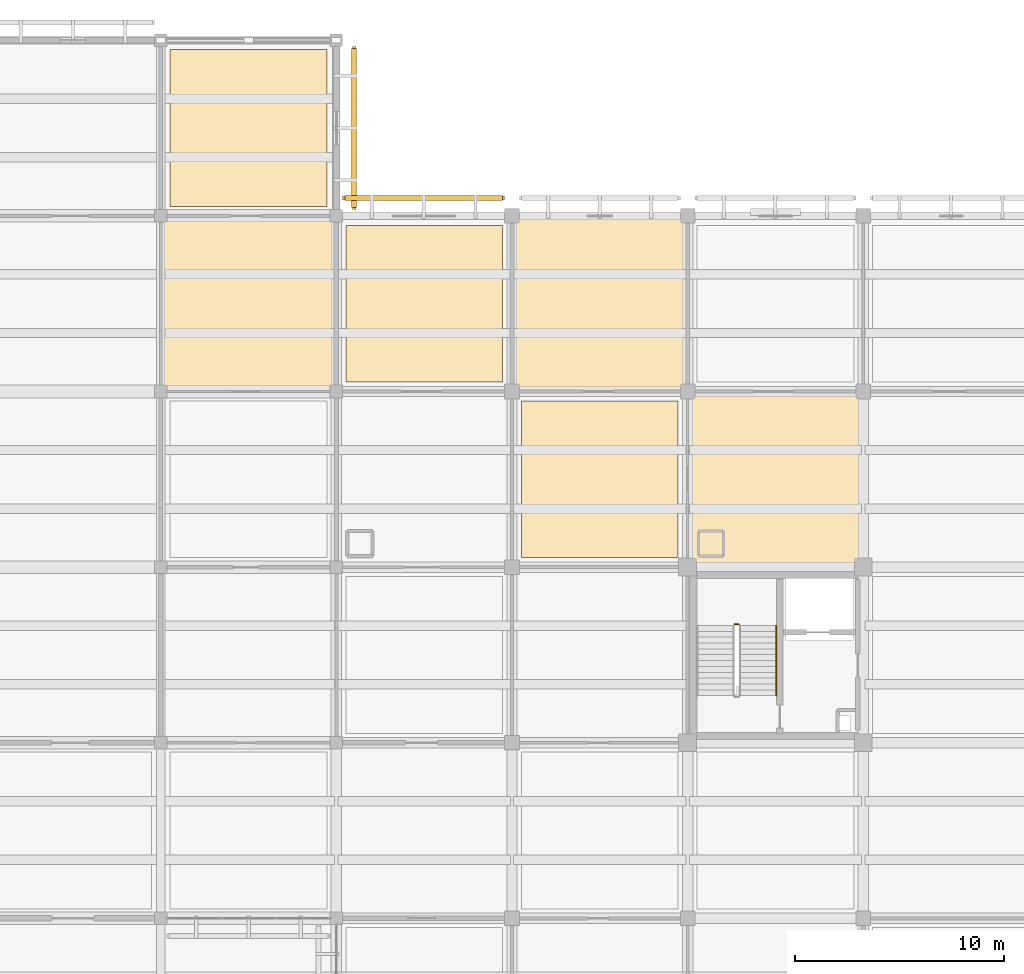
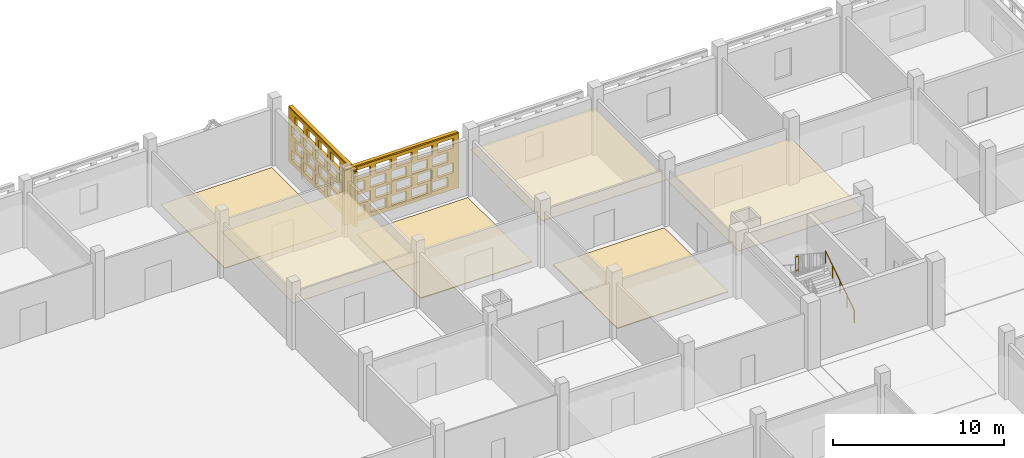
# One storey, part 126 of 129: 8 coverings, 2 railings, 2 shading devices, 40 openings.
"""IFC4 building model written with IfcOpenShell, lengths in metres."""

from ifc_helpers import new_model, si_unit, direction, frame, frame_2d, origin, origin_2d, place, context, subcontext, project, spatial, rectangle, circle, extrude, material, layer, layer_set, type_object, element, save


model = new_model("IFC4")

# Units and contexts
model_context = context("Model", 3, precision=1e-05, world=origin(), true_north=direction((0.0, 1.0)))
body_context = subcontext(model_context, "Body", "Model", "MODEL_VIEW")
ifc_project = project(units=[si_unit("LENGTHUNIT", "METRE"), si_unit("AREAUNIT", "SQUARE_METRE"), si_unit("VOLUMEUNIT", "CUBIC_METRE"), si_unit("PLANEANGLEUNIT", "RADIAN"), si_unit("MASSUNIT", "GRAM", prefix="KILO")], contexts=[model_context])

# Site, building, storey
site_placement = place(None, origin())
site = spatial("IfcSite", under=ifc_project, at=site_placement, CompositionType="ELEMENT")
building_placement = place(site_placement, origin())
building = spatial("IfcBuilding", under=site, at=building_placement, Name="Varnapada Polytechnic", CompositionType="ELEMENT")
storey_placement = place(building_placement, origin())
storey = spatial("IfcBuildingStorey", under=building, at=storey_placement, Name="L00", CompositionType="ELEMENT", Elevation=0.0)

# Coverings
ifc_material_1 = material(Name="Anti-Static Raised Laboratory Flooring")
ifc_layer_1 = layer(ifc_material_1, 0.06005859375)
ifc_layer_set_1 = layer_set([ifc_layer_1], Name="Anti-Static Raised Laboratory Flooring")
covering_type_1 = type_object("IfcCoveringType", Name="Floor Finish FLR-02", PredefinedType="FLOORING", material=ifc_layer_set_1)
for number, where, z_axis, x_axis, name in (
    (1, (138.60009765625, 113.39990234375, 0.0), (0.0, 0.0, 1.0), (1.0, 0.0, 0.0), "L00 floor finish panel (17,14)"),
    (2, (147.0, 105.0, 0.0), (0.0, 0.0, 1.0), (1.0, 0.0, 0.0), "L00 floor finish panel (18,13)"),
):
    element("IfcCovering", number, at=place(storey_placement, frame(where, z_axis=z_axis, x_axis=x_axis)), inside=storey, type_object=covering_type_1, Name=name, PredefinedType="FLOORING", context=body_context, shape_type="SweptSolid", body=[
        extrude(rectangle(XDim=7.5, YDim=7.5, at=origin_2d()), origin(), (0.0, 0.0, 1.0), 0.06005859375),
    ])
ifc_material_2 = material(Name="Acoustic Rubber Seminar Flooring")
ifc_layer_2 = layer(ifc_material_2, 0.0400390625)
ifc_layer_set_2 = layer_set([ifc_layer_2], Name="Acoustic Rubber Seminar Flooring")
covering_type_2 = type_object("IfcCoveringType", Name="Floor Finish FLR-06", PredefinedType="FLOORING", material=ifc_layer_set_2)
covering_1_placement = place(storey_placement, frame((130.199951171875, 121.800048828125, 0.0), z_axis=(0.0, 0.0, 1.0), x_axis=(1.0, 0.0, 0.0)))
element("IfcCovering", 3, at=covering_1_placement, inside=storey, type_object=covering_type_2, Name="L00 floor finish panel (16,15)", PredefinedType="FLOORING", context=body_context, shape_type="SweptSolid", body=[
    extrude(rectangle(XDim=7.5, YDim=7.5, at=origin_2d()), origin(), (0.0, 0.0, 1.0), 0.0400390625),
])

# Railings
ifc_material_3 = material(Name="Brushed Stainless Steel 316", Category="steel")
railing_type_1 = type_object("IfcRailingType", Name="Stair Wall Handrail SHR-01", PredefinedType="HANDRAIL", material=ifc_material_3)
railing_1_placement = place(storey_placement, frame((155.449951171875, 94.64990234375, 0.1845703125)))
element("IfcRailing", 4, at=railing_1_placement, inside=storey, type_object=railing_type_1, Name="L00 ST-5 stair handrail 1", PredefinedType="HANDRAIL", context=body_context, shape_type="SweptSolid", body=[
    extrude(circle(Radius=0.02392578125, at=origin_2d()), frame((0.0, 0.0, 0.8759765625), z_axis=(0.0, 0.834876476806, 0.550437342915), x_axis=(-1.0, 0.0, 0.0)), (0.0, 0.0, 1.0), 4.024658203125),
    extrude(circle(Radius=0.02099609375, at=origin_2d()), origin(), (0.0, 0.0, 1.0), 0.851806640625),
    extrude(circle(Radius=0.02099609375, at=origin_2d()), frame((0.0, 0.840087890625, 0.5537109375)), (0.0, 0.0, 1.0), 0.851806640625),
    extrude(circle(Radius=0.02099609375, at=origin_2d()), frame((0.0, 1.68017578125, 1.107666015625)), (0.0, 0.0, 1.0), 0.851806640625),
    extrude(circle(Radius=0.02099609375, at=origin_2d()), frame((0.0, 2.52001953125, 1.66162109375)), (0.0, 0.0, 1.0), 0.851806640625),
    extrude(circle(Radius=0.02099609375, at=origin_2d()), frame((0.0, 3.360107421875, 2.21533203125)), (0.0, 0.0, 1.0), 0.851806640625),
])
railing_type_2 = type_object("IfcRailingType", Name="Stair Well Guard Rail SGR-01", PredefinedType="BALUSTRADE", material=ifc_material_3)
railing_2_placement = place(storey_placement, frame((153.64990234375, 98.06005859375, 2.39990234375)))
element("IfcRailing", 5, at=railing_2_placement, inside=storey, type_object=railing_type_2, Name="L00 ST-5 stair guard 2", PredefinedType="BALUSTRADE", context=body_context, shape_type="SweptSolid", body=[
    extrude(circle(Radius=0.02392578125, at=origin_2d()), frame((0.0, 0.0, 1.09619140625), z_axis=(-1.0, 0.0, 0.0), x_axis=(0.0, -1.0, 0.0)), (0.0, 0.0, 1.0), 0.199951171875),
    extrude(circle(Radius=0.02392578125, at=origin_2d()), frame((0.0, 0.0, 0.10009765625), z_axis=(-1.0, 0.0, 0.0), x_axis=(0.0, -1.0, 0.0)), (0.0, 0.0, 1.0), 0.199951171875),
    extrude(circle(Radius=0.02099609375, at=origin_2d()), origin(), (0.0, 0.0, 1.0), 1.072021484375),
    extrude(circle(Radius=0.02099609375, at=origin_2d()), frame((-0.199951171875, 0.0, 0.0)), (0.0, 0.0, 1.0), 1.072021484375),
])

# Coverings
ifc_material_4 = material(Name="Mineral Fibre Acoustic Ceiling Tile")
ifc_layer_3 = layer(ifc_material_4, 0.0400390625)
ifc_layer_set_3 = layer_set([ifc_layer_3], Name="Mineral Fibre Acoustic Ceiling Tile")
covering_type_3 = type_object("IfcCoveringType", Name="Suspended Ceiling CLG-01", PredefinedType="CEILING", material=ifc_layer_set_3)
for number, where, z_axis, x_axis, name in (
    (6, (130.199951171875, 113.39990234375, 3.030029296875), (0.0, 0.0, 1.0), (1.0, 0.0, 0.0), "L00 suspended acoustic ceiling (16,14)"),
    (7, (147.0, 113.39990234375, 3.030029296875), (0.0, 0.0, 1.0), (1.0, 0.0, 0.0), "L00 suspended acoustic ceiling (18,14)"),
):
    element("IfcCovering", number, at=place(storey_placement, frame(where, z_axis=z_axis, x_axis=x_axis)), inside=storey, type_object=covering_type_3, Name=name, PredefinedType="CEILING", context=body_context, shape_type="SweptSolid", body=[
        extrude(rectangle(XDim=8.419921875, YDim=8.419921875, at=origin_2d()), origin(), (0.0, 0.0, 1.0), 0.0400390625),
    ])
ifc_material_5 = material(Name="Micro-Perforated Gypsum Acoustic Ceiling")
ifc_layer_4 = layer(ifc_material_5, 0.044921875)
ifc_layer_set_4 = layer_set([ifc_layer_4], Name="Micro-Perforated Gypsum Acoustic Ceiling")
covering_type_4 = type_object("IfcCoveringType", Name="Suspended Ceiling CLG-04", PredefinedType="CEILING", material=ifc_layer_set_4)
covering_2_placement = place(storey_placement, frame((155.39990234375, 105.0, 3.027587890625), z_axis=(0.0, 0.0, 1.0), x_axis=(1.0, 0.0, 0.0)))
element("IfcCovering", 8, at=covering_2_placement, inside=storey, type_object=covering_type_4, Name="L00 suspended acoustic ceiling (19,13)", PredefinedType="CEILING", context=body_context, shape_type="SweptSolid", body=[
    extrude(rectangle(XDim=8.419921875, YDim=8.419921875, at=origin_2d()), origin(), (0.0, 0.0, 1.0), 0.044921875),
])

# Covering, openings
ifc_material_6 = material(Name="Earth-toned architectural terracotta screen block", Category="masonry")
ifc_layer_5 = layer(ifc_material_6, 0.1201171875)
ifc_layer_set_5 = layer_set([ifc_layer_5], Name="Earth-toned architectural terracotta screen block")
covering_type_5 = type_object("IfcCoveringType", Name="Terracotta Screen Cladding CLD-01", PredefinedType="CLADDING", material=ifc_layer_set_5)
covering_3_placement = place(storey_placement, frame((135.25, 125.699951171875, 0.0), z_axis=(0.0, 0.0, 1.0), x_axis=(0.0, -1.0, 0.0)))
covering_3 = element("IfcCovering", 9, at=covering_3_placement, inside=storey, type_object=covering_type_5, Name="L00 perforated terracotta block screen (80)", PredefinedType="CLADDING", context=body_context, shape_type="SweptSolid", body=[
    extrude(rectangle(XDim=7.800048828125, YDim=0.179931640625, at=frame_2d((3.89990234375, 0.0))), origin(), (0.0, 0.0, 1.0), 3.919921875),
])
opening_1_placement = place(covering_3_placement, frame((0.39990234375, 0.0, 0.313720703125)))
element("IfcOpeningElement", 10, at=opening_1_placement, cuts=covering_3, Name="Screen perforation TBS-L00-079.1", PredefinedType="OPENING", context=body_context, shape_type="SweptSolid", body=[
    extrude(rectangle(XDim=1.0400390625, YDim=0.679931640625, at=frame_2d((0.52001953125, 0.33984375))), frame((0.0, 0.099853515625, 0.0), z_axis=(0.0, -1.0, 0.0), x_axis=(1.0, 0.0, 0.0)), (0.0, 0.0, 1.0), 0.199951171875),
])
opening_2_placement = place(covering_3_placement, frame((1.800048828125, 0.0, 0.313720703125)))
element("IfcOpeningElement", 11, at=opening_2_placement, cuts=covering_3, Name="Screen perforation TBS-L00-079.2", PredefinedType="OPENING", context=body_context, shape_type="SweptSolid", body=[
    extrude(rectangle(XDim=1.0400390625, YDim=0.679931640625, at=frame_2d((0.52001953125, 0.33984375))), frame((0.0, 0.099853515625, 0.0), z_axis=(0.0, -1.0, 0.0), x_axis=(1.0, 0.0, 0.0)), (0.0, 0.0, 1.0), 0.199951171875),
])
opening_3_placement = place(covering_3_placement, frame((3.199951171875, 0.0, 0.313720703125)))
element("IfcOpeningElement", 12, at=opening_3_placement, cuts=covering_3, Name="Screen perforation TBS-L00-079.3", PredefinedType="OPENING", context=body_context, shape_type="SweptSolid", body=[
    extrude(rectangle(XDim=1.0400390625, YDim=0.679931640625, at=frame_2d((0.52001953125, 0.33984375))), frame((0.0, 0.099853515625, 0.0), z_axis=(0.0, -1.0, 0.0), x_axis=(1.0, 0.0, 0.0)), (0.0, 0.0, 1.0), 0.199951171875),
])
opening_4_placement = place(covering_3_placement, frame((4.60009765625, 0.0, 0.313720703125)))
element("IfcOpeningElement", 13, at=opening_4_placement, cuts=covering_3, Name="Screen perforation TBS-L00-079.4", PredefinedType="OPENING", context=body_context, shape_type="SweptSolid", body=[
    extrude(rectangle(XDim=1.0400390625, YDim=0.679931640625, at=frame_2d((0.52001953125, 0.33984375))), frame((0.0, 0.099853515625, 0.0), z_axis=(0.0, -1.0, 0.0), x_axis=(1.0, 0.0, 0.0)), (0.0, 0.0, 1.0), 0.199951171875),
])
opening_5_placement = place(covering_3_placement, frame((6.0, 0.0, 0.313720703125)))
element("IfcOpeningElement", 14, at=opening_5_placement, cuts=covering_3, Name="Screen perforation TBS-L00-079.5", PredefinedType="OPENING", context=body_context, shape_type="SweptSolid", body=[
    extrude(rectangle(XDim=1.0400390625, YDim=0.679931640625, at=frame_2d((0.52001953125, 0.33984375))), frame((0.0, 0.099853515625, 0.0), z_axis=(0.0, -1.0, 0.0), x_axis=(1.0, 0.0, 0.0)), (0.0, 0.0, 1.0), 0.199951171875),
])
opening_6_placement = place(covering_3_placement, frame((0.760009765625, 0.0, 1.195556640625)))
element("IfcOpeningElement", 15, at=opening_6_placement, cuts=covering_3, Name="Screen perforation TBS-L00-079.6", PredefinedType="OPENING", context=body_context, shape_type="SweptSolid", body=[
    extrude(rectangle(XDim=1.0400390625, YDim=0.679931640625, at=frame_2d((0.52001953125, 0.33984375))), frame((0.0, 0.099853515625, 0.0), z_axis=(0.0, -1.0, 0.0), x_axis=(1.0, 0.0, 0.0)), (0.0, 0.0, 1.0), 0.199951171875),
])
opening_7_placement = place(covering_3_placement, frame((2.159912109375, 0.0, 1.195556640625)))
element("IfcOpeningElement", 16, at=opening_7_placement, cuts=covering_3, Name="Screen perforation TBS-L00-079.7", PredefinedType="OPENING", context=body_context, shape_type="SweptSolid", body=[
    extrude(rectangle(XDim=1.0400390625, YDim=0.679931640625, at=frame_2d((0.52001953125, 0.33984375))), frame((0.0, 0.099853515625, 0.0), z_axis=(0.0, -1.0, 0.0), x_axis=(1.0, 0.0, 0.0)), (0.0, 0.0, 1.0), 0.199951171875),
])
opening_8_placement = place(covering_3_placement, frame((3.56005859375, 0.0, 1.195556640625)))
element("IfcOpeningElement", 17, at=opening_8_placement, cuts=covering_3, Name="Screen perforation TBS-L00-079.8", PredefinedType="OPENING", context=body_context, shape_type="SweptSolid", body=[
    extrude(rectangle(XDim=1.0400390625, YDim=0.679931640625, at=frame_2d((0.52001953125, 0.33984375))), frame((0.0, 0.099853515625, 0.0), z_axis=(0.0, -1.0, 0.0), x_axis=(1.0, 0.0, 0.0)), (0.0, 0.0, 1.0), 0.199951171875),
])
opening_9_placement = place(covering_3_placement, frame((4.9599609375, 0.0, 1.195556640625)))
element("IfcOpeningElement", 18, at=opening_9_placement, cuts=covering_3, Name="Screen perforation TBS-L00-079.9", PredefinedType="OPENING", context=body_context, shape_type="SweptSolid", body=[
    extrude(rectangle(XDim=1.0400390625, YDim=0.679931640625, at=frame_2d((0.52001953125, 0.33984375))), frame((0.0, 0.099853515625, 0.0), z_axis=(0.0, -1.0, 0.0), x_axis=(1.0, 0.0, 0.0)), (0.0, 0.0, 1.0), 0.199951171875),
])
opening_10_placement = place(covering_3_placement, frame((6.360107421875, 0.0, 1.195556640625)))
element("IfcOpeningElement", 19, at=opening_10_placement, cuts=covering_3, Name="Screen perforation TBS-L00-079.10", PredefinedType="OPENING", context=body_context, shape_type="SweptSolid", body=[
    extrude(rectangle(XDim=1.0400390625, YDim=0.679931640625, at=frame_2d((0.52001953125, 0.33984375))), frame((0.0, 0.099853515625, 0.0), z_axis=(0.0, -1.0, 0.0), x_axis=(1.0, 0.0, 0.0)), (0.0, 0.0, 1.0), 0.199951171875),
])
opening_11_placement = place(covering_3_placement, frame((0.39990234375, 0.0, 2.07763671875)))
element("IfcOpeningElement", 20, at=opening_11_placement, cuts=covering_3, Name="Screen perforation TBS-L00-079.11", PredefinedType="OPENING", context=body_context, shape_type="SweptSolid", body=[
    extrude(rectangle(XDim=1.0400390625, YDim=0.679931640625, at=frame_2d((0.52001953125, 0.33984375))), frame((0.0, 0.099853515625, 0.0), z_axis=(0.0, -1.0, 0.0), x_axis=(1.0, 0.0, 0.0)), (0.0, 0.0, 1.0), 0.199951171875),
])
opening_12_placement = place(covering_3_placement, frame((1.800048828125, 0.0, 2.07763671875)))
element("IfcOpeningElement", 21, at=opening_12_placement, cuts=covering_3, Name="Screen perforation TBS-L00-079.12", PredefinedType="OPENING", context=body_context, shape_type="SweptSolid", body=[
    extrude(rectangle(XDim=1.0400390625, YDim=0.679931640625, at=frame_2d((0.52001953125, 0.33984375))), frame((0.0, 0.099853515625, 0.0), z_axis=(0.0, -1.0, 0.0), x_axis=(1.0, 0.0, 0.0)), (0.0, 0.0, 1.0), 0.199951171875),
])
opening_13_placement = place(covering_3_placement, frame((3.199951171875, 0.0, 2.07763671875)))
element("IfcOpeningElement", 22, at=opening_13_placement, cuts=covering_3, Name="Screen perforation TBS-L00-079.13", PredefinedType="OPENING", context=body_context, shape_type="SweptSolid", body=[
    extrude(rectangle(XDim=1.0400390625, YDim=0.679931640625, at=frame_2d((0.52001953125, 0.33984375))), frame((0.0, 0.099853515625, 0.0), z_axis=(0.0, -1.0, 0.0), x_axis=(1.0, 0.0, 0.0)), (0.0, 0.0, 1.0), 0.199951171875),
])
opening_14_placement = place(covering_3_placement, frame((4.60009765625, 0.0, 2.07763671875)))
element("IfcOpeningElement", 23, at=opening_14_placement, cuts=covering_3, Name="Screen perforation TBS-L00-079.14", PredefinedType="OPENING", context=body_context, shape_type="SweptSolid", body=[
    extrude(rectangle(XDim=1.0400390625, YDim=0.679931640625, at=frame_2d((0.52001953125, 0.33984375))), frame((0.0, 0.099853515625, 0.0), z_axis=(0.0, -1.0, 0.0), x_axis=(1.0, 0.0, 0.0)), (0.0, 0.0, 1.0), 0.199951171875),
])
opening_15_placement = place(covering_3_placement, frame((6.0, 0.0, 2.07763671875)))
element("IfcOpeningElement", 24, at=opening_15_placement, cuts=covering_3, Name="Screen perforation TBS-L00-079.15", PredefinedType="OPENING", context=body_context, shape_type="SweptSolid", body=[
    extrude(rectangle(XDim=1.0400390625, YDim=0.679931640625, at=frame_2d((0.52001953125, 0.33984375))), frame((0.0, 0.099853515625, 0.0), z_axis=(0.0, -1.0, 0.0), x_axis=(1.0, 0.0, 0.0)), (0.0, 0.0, 1.0), 0.199951171875),
])
opening_16_placement = place(covering_3_placement, frame((0.760009765625, 0.0, 2.959716796875)))
element("IfcOpeningElement", 25, at=opening_16_placement, cuts=covering_3, Name="Screen perforation TBS-L00-079.16", PredefinedType="OPENING", context=body_context, shape_type="SweptSolid", body=[
    extrude(rectangle(XDim=1.0400390625, YDim=0.679931640625, at=frame_2d((0.52001953125, 0.33984375))), frame((0.0, 0.099853515625, 0.0), z_axis=(0.0, -1.0, 0.0), x_axis=(1.0, 0.0, 0.0)), (0.0, 0.0, 1.0), 0.199951171875),
])
opening_17_placement = place(covering_3_placement, frame((2.159912109375, 0.0, 2.959716796875)))
element("IfcOpeningElement", 26, at=opening_17_placement, cuts=covering_3, Name="Screen perforation TBS-L00-079.17", PredefinedType="OPENING", context=body_context, shape_type="SweptSolid", body=[
    extrude(rectangle(XDim=1.0400390625, YDim=0.679931640625, at=frame_2d((0.52001953125, 0.33984375))), frame((0.0, 0.099853515625, 0.0), z_axis=(0.0, -1.0, 0.0), x_axis=(1.0, 0.0, 0.0)), (0.0, 0.0, 1.0), 0.199951171875),
])
opening_18_placement = place(covering_3_placement, frame((3.56005859375, 0.0, 2.959716796875)))
element("IfcOpeningElement", 27, at=opening_18_placement, cuts=covering_3, Name="Screen perforation TBS-L00-079.18", PredefinedType="OPENING", context=body_context, shape_type="SweptSolid", body=[
    extrude(rectangle(XDim=1.0400390625, YDim=0.679931640625, at=frame_2d((0.52001953125, 0.33984375))), frame((0.0, 0.099853515625, 0.0), z_axis=(0.0, -1.0, 0.0), x_axis=(1.0, 0.0, 0.0)), (0.0, 0.0, 1.0), 0.199951171875),
])
opening_19_placement = place(covering_3_placement, frame((4.9599609375, 0.0, 2.959716796875)))
element("IfcOpeningElement", 28, at=opening_19_placement, cuts=covering_3, Name="Screen perforation TBS-L00-079.19", PredefinedType="OPENING", context=body_context, shape_type="SweptSolid", body=[
    extrude(rectangle(XDim=1.0400390625, YDim=0.679931640625, at=frame_2d((0.52001953125, 0.33984375))), frame((0.0, 0.099853515625, 0.0), z_axis=(0.0, -1.0, 0.0), x_axis=(1.0, 0.0, 0.0)), (0.0, 0.0, 1.0), 0.199951171875),
])
opening_20_placement = place(covering_3_placement, frame((6.360107421875, 0.0, 2.959716796875)))
element("IfcOpeningElement", 29, at=opening_20_placement, cuts=covering_3, Name="Screen perforation TBS-L00-079.20", PredefinedType="OPENING", context=body_context, shape_type="SweptSolid", body=[
    extrude(rectangle(XDim=1.0400390625, YDim=0.679931640625, at=frame_2d((0.52001953125, 0.33984375))), frame((0.0, 0.099853515625, 0.0), z_axis=(0.0, -1.0, 0.0), x_axis=(1.0, 0.0, 0.0)), (0.0, 0.0, 1.0), 0.199951171875),
])

covering_4_placement = place(storey_placement, frame((134.699951171875, 118.449951171875, 0.0), z_axis=(0.0, 0.0, 1.0), x_axis=(1.0, 0.0, 0.0)))
covering_4 = element("IfcCovering", 30, at=covering_4_placement, inside=storey, type_object=covering_type_5, Name="L00 perforated terracotta block screen (90)", PredefinedType="CLADDING", context=body_context, shape_type="SweptSolid", body=[
    extrude(rectangle(XDim=7.75, YDim=0.179931640625, at=frame_2d((3.875, 0.0))), origin(), (0.0, 0.0, 1.0), 3.919921875),
])
opening_21_placement = place(covering_4_placement, frame((0.375, 0.0, 0.313720703125)))
element("IfcOpeningElement", 31, at=opening_21_placement, cuts=covering_4, Name="Screen perforation TBS-L00-089.1", PredefinedType="OPENING", context=body_context, shape_type="SweptSolid", body=[
    extrude(rectangle(XDim=1.0400390625, YDim=0.679931640625, at=frame_2d((0.52001953125, 0.33984375))), frame((0.0, 0.099853515625, 0.0), z_axis=(0.0, -1.0, 0.0), x_axis=(1.0, 0.0, 0.0)), (0.0, 0.0, 1.0), 0.199951171875),
])
opening_22_placement = place(covering_4_placement, frame((1.77490234375, 0.0, 0.313720703125)))
element("IfcOpeningElement", 32, at=opening_22_placement, cuts=covering_4, Name="Screen perforation TBS-L00-089.2", PredefinedType="OPENING", context=body_context, shape_type="SweptSolid", body=[
    extrude(rectangle(XDim=1.0400390625, YDim=0.679931640625, at=frame_2d((0.52001953125, 0.33984375))), frame((0.0, 0.099853515625, 0.0), z_axis=(0.0, -1.0, 0.0), x_axis=(1.0, 0.0, 0.0)), (0.0, 0.0, 1.0), 0.199951171875),
])
opening_23_placement = place(covering_4_placement, frame((3.175048828125, 0.0, 0.313720703125)))
element("IfcOpeningElement", 33, at=opening_23_placement, cuts=covering_4, Name="Screen perforation TBS-L00-089.3", PredefinedType="OPENING", context=body_context, shape_type="SweptSolid", body=[
    extrude(rectangle(XDim=1.0400390625, YDim=0.679931640625, at=frame_2d((0.52001953125, 0.33984375))), frame((0.0, 0.099853515625, 0.0), z_axis=(0.0, -1.0, 0.0), x_axis=(1.0, 0.0, 0.0)), (0.0, 0.0, 1.0), 0.199951171875),
])
opening_24_placement = place(covering_4_placement, frame((4.574951171875, 0.0, 0.313720703125)))
element("IfcOpeningElement", 34, at=opening_24_placement, cuts=covering_4, Name="Screen perforation TBS-L00-089.4", PredefinedType="OPENING", context=body_context, shape_type="SweptSolid", body=[
    extrude(rectangle(XDim=1.0400390625, YDim=0.679931640625, at=frame_2d((0.52001953125, 0.33984375))), frame((0.0, 0.099853515625, 0.0), z_axis=(0.0, -1.0, 0.0), x_axis=(1.0, 0.0, 0.0)), (0.0, 0.0, 1.0), 0.199951171875),
])
opening_25_placement = place(covering_4_placement, frame((5.97509765625, 0.0, 0.313720703125)))
element("IfcOpeningElement", 35, at=opening_25_placement, cuts=covering_4, Name="Screen perforation TBS-L00-089.5", PredefinedType="OPENING", context=body_context, shape_type="SweptSolid", body=[
    extrude(rectangle(XDim=1.0400390625, YDim=0.679931640625, at=frame_2d((0.52001953125, 0.33984375))), frame((0.0, 0.099853515625, 0.0), z_axis=(0.0, -1.0, 0.0), x_axis=(1.0, 0.0, 0.0)), (0.0, 0.0, 1.0), 0.199951171875),
])
opening_26_placement = place(covering_4_placement, frame((0.735107421875, 0.0, 1.195556640625)))
element("IfcOpeningElement", 36, at=opening_26_placement, cuts=covering_4, Name="Screen perforation TBS-L00-089.6", PredefinedType="OPENING", context=body_context, shape_type="SweptSolid", body=[
    extrude(rectangle(XDim=1.0400390625, YDim=0.679931640625, at=frame_2d((0.52001953125, 0.33984375))), frame((0.0, 0.099853515625, 0.0), z_axis=(0.0, -1.0, 0.0), x_axis=(1.0, 0.0, 0.0)), (0.0, 0.0, 1.0), 0.199951171875),
])
opening_27_placement = place(covering_4_placement, frame((2.135009765625, 0.0, 1.195556640625)))
element("IfcOpeningElement", 37, at=opening_27_placement, cuts=covering_4, Name="Screen perforation TBS-L00-089.7", PredefinedType="OPENING", context=body_context, shape_type="SweptSolid", body=[
    extrude(rectangle(XDim=1.0400390625, YDim=0.679931640625, at=frame_2d((0.52001953125, 0.33984375))), frame((0.0, 0.099853515625, 0.0), z_axis=(0.0, -1.0, 0.0), x_axis=(1.0, 0.0, 0.0)), (0.0, 0.0, 1.0), 0.199951171875),
])
opening_28_placement = place(covering_4_placement, frame((3.534912109375, 0.0, 1.195556640625)))
element("IfcOpeningElement", 38, at=opening_28_placement, cuts=covering_4, Name="Screen perforation TBS-L00-089.8", PredefinedType="OPENING", context=body_context, shape_type="SweptSolid", body=[
    extrude(rectangle(XDim=1.0400390625, YDim=0.679931640625, at=frame_2d((0.52001953125, 0.33984375))), frame((0.0, 0.099853515625, 0.0), z_axis=(0.0, -1.0, 0.0), x_axis=(1.0, 0.0, 0.0)), (0.0, 0.0, 1.0), 0.199951171875),
])
opening_29_placement = place(covering_4_placement, frame((4.93505859375, 0.0, 1.195556640625)))
element("IfcOpeningElement", 39, at=opening_29_placement, cuts=covering_4, Name="Screen perforation TBS-L00-089.9", PredefinedType="OPENING", context=body_context, shape_type="SweptSolid", body=[
    extrude(rectangle(XDim=1.0400390625, YDim=0.679931640625, at=frame_2d((0.52001953125, 0.33984375))), frame((0.0, 0.099853515625, 0.0), z_axis=(0.0, -1.0, 0.0), x_axis=(1.0, 0.0, 0.0)), (0.0, 0.0, 1.0), 0.199951171875),
])
opening_30_placement = place(covering_4_placement, frame((6.3349609375, 0.0, 1.195556640625)))
element("IfcOpeningElement", 40, at=opening_30_placement, cuts=covering_4, Name="Screen perforation TBS-L00-089.10", PredefinedType="OPENING", context=body_context, shape_type="SweptSolid", body=[
    extrude(rectangle(XDim=1.0400390625, YDim=0.679931640625, at=frame_2d((0.52001953125, 0.33984375))), frame((0.0, 0.099853515625, 0.0), z_axis=(0.0, -1.0, 0.0), x_axis=(1.0, 0.0, 0.0)), (0.0, 0.0, 1.0), 0.199951171875),
])
opening_31_placement = place(covering_4_placement, frame((0.375, 0.0, 2.07763671875)))
element("IfcOpeningElement", 41, at=opening_31_placement, cuts=covering_4, Name="Screen perforation TBS-L00-089.11", PredefinedType="OPENING", context=body_context, shape_type="SweptSolid", body=[
    extrude(rectangle(XDim=1.0400390625, YDim=0.679931640625, at=frame_2d((0.52001953125, 0.33984375))), frame((0.0, 0.099853515625, 0.0), z_axis=(0.0, -1.0, 0.0), x_axis=(1.0, 0.0, 0.0)), (0.0, 0.0, 1.0), 0.199951171875),
])
opening_32_placement = place(covering_4_placement, frame((1.77490234375, 0.0, 2.07763671875)))
element("IfcOpeningElement", 42, at=opening_32_placement, cuts=covering_4, Name="Screen perforation TBS-L00-089.12", PredefinedType="OPENING", context=body_context, shape_type="SweptSolid", body=[
    extrude(rectangle(XDim=1.0400390625, YDim=0.679931640625, at=frame_2d((0.52001953125, 0.33984375))), frame((0.0, 0.099853515625, 0.0), z_axis=(0.0, -1.0, 0.0), x_axis=(1.0, 0.0, 0.0)), (0.0, 0.0, 1.0), 0.199951171875),
])
opening_33_placement = place(covering_4_placement, frame((3.175048828125, 0.0, 2.07763671875)))
element("IfcOpeningElement", 43, at=opening_33_placement, cuts=covering_4, Name="Screen perforation TBS-L00-089.13", PredefinedType="OPENING", context=body_context, shape_type="SweptSolid", body=[
    extrude(rectangle(XDim=1.0400390625, YDim=0.679931640625, at=frame_2d((0.52001953125, 0.33984375))), frame((0.0, 0.099853515625, 0.0), z_axis=(0.0, -1.0, 0.0), x_axis=(1.0, 0.0, 0.0)), (0.0, 0.0, 1.0), 0.199951171875),
])
opening_34_placement = place(covering_4_placement, frame((4.574951171875, 0.0, 2.07763671875)))
element("IfcOpeningElement", 44, at=opening_34_placement, cuts=covering_4, Name="Screen perforation TBS-L00-089.14", PredefinedType="OPENING", context=body_context, shape_type="SweptSolid", body=[
    extrude(rectangle(XDim=1.0400390625, YDim=0.679931640625, at=frame_2d((0.52001953125, 0.33984375))), frame((0.0, 0.099853515625, 0.0), z_axis=(0.0, -1.0, 0.0), x_axis=(1.0, 0.0, 0.0)), (0.0, 0.0, 1.0), 0.199951171875),
])
opening_35_placement = place(covering_4_placement, frame((5.97509765625, 0.0, 2.07763671875)))
element("IfcOpeningElement", 45, at=opening_35_placement, cuts=covering_4, Name="Screen perforation TBS-L00-089.15", PredefinedType="OPENING", context=body_context, shape_type="SweptSolid", body=[
    extrude(rectangle(XDim=1.0400390625, YDim=0.679931640625, at=frame_2d((0.52001953125, 0.33984375))), frame((0.0, 0.099853515625, 0.0), z_axis=(0.0, -1.0, 0.0), x_axis=(1.0, 0.0, 0.0)), (0.0, 0.0, 1.0), 0.199951171875),
])
opening_36_placement = place(covering_4_placement, frame((0.735107421875, 0.0, 2.959716796875)))
element("IfcOpeningElement", 46, at=opening_36_placement, cuts=covering_4, Name="Screen perforation TBS-L00-089.16", PredefinedType="OPENING", context=body_context, shape_type="SweptSolid", body=[
    extrude(rectangle(XDim=1.0400390625, YDim=0.679931640625, at=frame_2d((0.52001953125, 0.33984375))), frame((0.0, 0.099853515625, 0.0), z_axis=(0.0, -1.0, 0.0), x_axis=(1.0, 0.0, 0.0)), (0.0, 0.0, 1.0), 0.199951171875),
])
opening_37_placement = place(covering_4_placement, frame((2.135009765625, 0.0, 2.959716796875)))
element("IfcOpeningElement", 47, at=opening_37_placement, cuts=covering_4, Name="Screen perforation TBS-L00-089.17", PredefinedType="OPENING", context=body_context, shape_type="SweptSolid", body=[
    extrude(rectangle(XDim=1.0400390625, YDim=0.679931640625, at=frame_2d((0.52001953125, 0.33984375))), frame((0.0, 0.099853515625, 0.0), z_axis=(0.0, -1.0, 0.0), x_axis=(1.0, 0.0, 0.0)), (0.0, 0.0, 1.0), 0.199951171875),
])
opening_38_placement = place(covering_4_placement, frame((3.534912109375, 0.0, 2.959716796875)))
element("IfcOpeningElement", 48, at=opening_38_placement, cuts=covering_4, Name="Screen perforation TBS-L00-089.18", PredefinedType="OPENING", context=body_context, shape_type="SweptSolid", body=[
    extrude(rectangle(XDim=1.0400390625, YDim=0.679931640625, at=frame_2d((0.52001953125, 0.33984375))), frame((0.0, 0.099853515625, 0.0), z_axis=(0.0, -1.0, 0.0), x_axis=(1.0, 0.0, 0.0)), (0.0, 0.0, 1.0), 0.199951171875),
])
opening_39_placement = place(covering_4_placement, frame((4.93505859375, 0.0, 2.959716796875)))
element("IfcOpeningElement", 49, at=opening_39_placement, cuts=covering_4, Name="Screen perforation TBS-L00-089.19", PredefinedType="OPENING", context=body_context, shape_type="SweptSolid", body=[
    extrude(rectangle(XDim=1.0400390625, YDim=0.679931640625, at=frame_2d((0.52001953125, 0.33984375))), frame((0.0, 0.099853515625, 0.0), z_axis=(0.0, -1.0, 0.0), x_axis=(1.0, 0.0, 0.0)), (0.0, 0.0, 1.0), 0.199951171875),
])
opening_40_placement = place(covering_4_placement, frame((6.3349609375, 0.0, 2.959716796875)))
element("IfcOpeningElement", 50, at=opening_40_placement, cuts=covering_4, Name="Screen perforation TBS-L00-089.20", PredefinedType="OPENING", context=body_context, shape_type="SweptSolid", body=[
    extrude(rectangle(XDim=1.0400390625, YDim=0.679931640625, at=frame_2d((0.52001953125, 0.33984375))), frame((0.0, 0.099853515625, 0.0), z_axis=(0.0, -1.0, 0.0), x_axis=(1.0, 0.0, 0.0)), (0.0, 0.0, 1.0), 0.199951171875),
])

# Shading devices
ifc_layer_6 = layer(ifc_material_6, 0.179931640625)
ifc_layer_set_6 = layer_set([ifc_layer_6], Name="Earth-toned architectural terracotta screen block")
shading_device_type = type_object("IfcShadingDeviceType", Name="Terracotta Screen SCR-02", PredefinedType="USERDEFINED", material=ifc_layer_set_6)
shading_device_1_placement = place(storey_placement, frame((135.25, 121.800048828125, 3.909912109375), z_axis=(0.0, 0.0, 1.0), x_axis=(0.0, -1.0, 0.0)))
element("IfcShadingDevice", 51, at=shading_device_1_placement, inside=storey, type_object=shading_device_type, Name="L00 perforated terracotta screen hood 54", ObjectType="SCREEN", PredefinedType="USERDEFINED", context=body_context, shape_type="SweptSolid", body=[
    extrude(rectangle(XDim=7.60009765625, YDim=0.239990234375, at=origin_2d()), origin(), (0.0, 0.0, 1.0), 0.10009765625),
])
shading_device_2_placement = place(storey_placement, frame((138.574951171875, 118.449951171875, 3.909912109375), z_axis=(0.0, 0.0, 1.0), x_axis=(1.0, 0.0, 0.0)))
element("IfcShadingDevice", 52, at=shading_device_2_placement, inside=storey, type_object=shading_device_type, Name="L00 perforated terracotta screen hood 63", ObjectType="SCREEN", PredefinedType="USERDEFINED", context=body_context, shape_type="SweptSolid", body=[
    extrude(rectangle(XDim=7.550048828125, YDim=0.239990234375, at=origin_2d()), origin(), (0.0, 0.0, 1.0), 0.10009765625),
])

save(model, "model.ifc")
